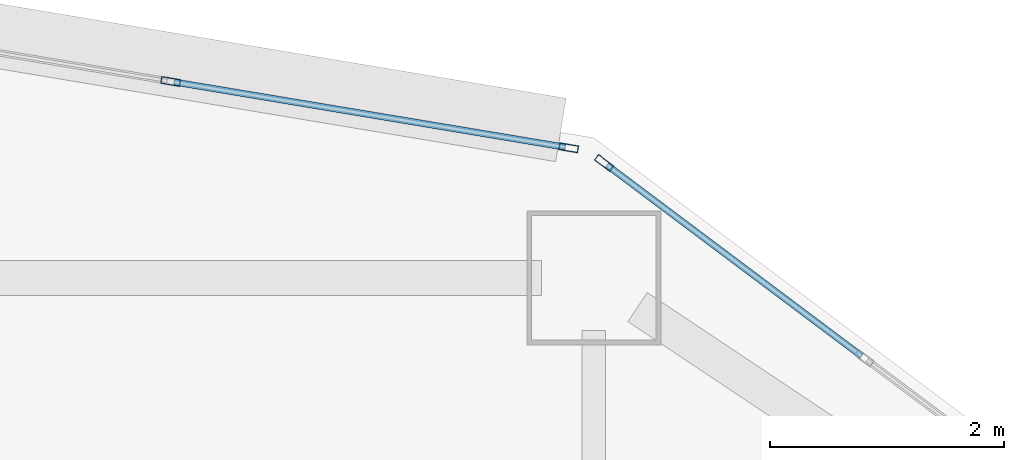
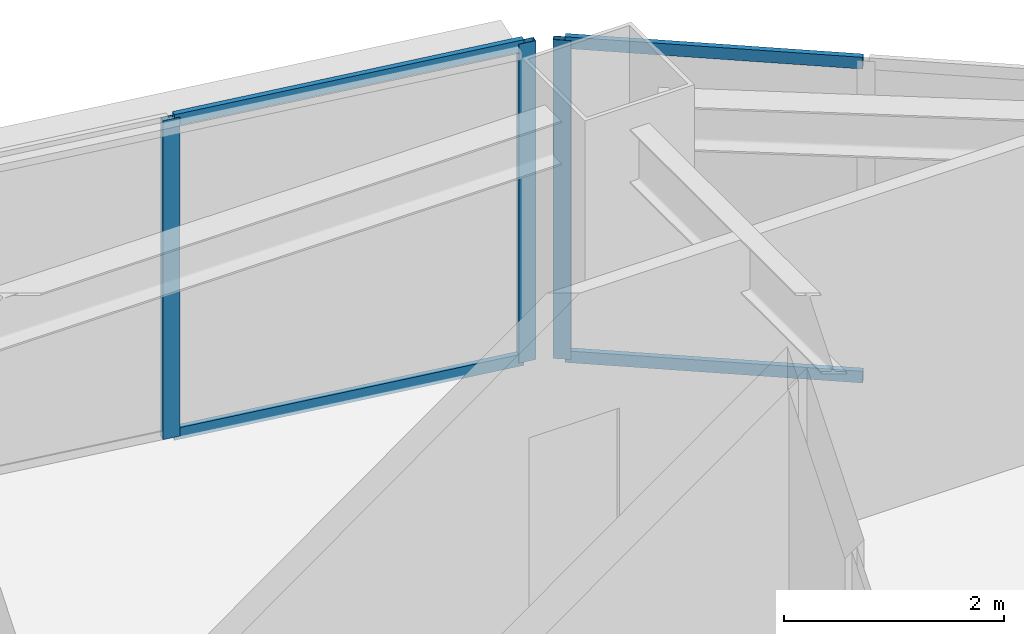
# One storey, part 4 of 16: 7 members, 2 elements without a shape of their own.
"""IFC4 building model written with IfcOpenShell, lengths in metres."""

from ifc_helpers import new_model, si_unit, direction, frame, origin, origin_2d, place, context, subcontext, project, spatial, hollow_rectangle, extrude, material, layer, layer_set, material_profile, profile_set, type_object, element, aggregate, save


model = new_model("IFC4")

# Units and contexts
model_context = context("Model", 3, precision=1e-05, world=origin(), true_north=direction((0.0, 1.0)))
body_context = subcontext(model_context, "Body", "Model", "MODEL_VIEW")
ifc_project = project(units=[si_unit("LENGTHUNIT", "METRE"), si_unit("AREAUNIT", "SQUARE_METRE"), si_unit("VOLUMEUNIT", "CUBIC_METRE"), si_unit("PLANEANGLEUNIT", "RADIAN"), si_unit("MASSUNIT", "GRAM", prefix="KILO")], contexts=[model_context])

# Site, building, storey
site_placement = place(None, origin())
site = spatial("IfcSite", under=ifc_project, at=site_placement, CompositionType="ELEMENT")
building_placement = place(site_placement, origin())
building = spatial("IfcBuilding", under=site, at=building_placement, Name="Haolan Belvedere Tower", CompositionType="ELEMENT")
storey_placement = place(building_placement, frame((0.0, 0.0, 85.60009765625)))
storey = spatial("IfcBuildingStorey", under=building, at=storey_placement, Name="L21", CompositionType="ELEMENT", Elevation=85.60009765625)

# Curtain wall, member
ifc_material_1 = material(Name="Anodised champagne-silver aluminium 6063-T6 and Low-E glass", Category="aluminium")
ifc_layer = layer(ifc_material_1, 0.1650390625, Name="Anodised champagne-silver aluminium 6063-T6 and Low-E glass")
ifc_layer_set = layer_set([ifc_layer], Name="Anodised champagne-silver aluminium 6063-T6 and Low-E glass")
curtain_wall_type = type_object("IfcCurtainWallType", Name="CW-SYS-02", PredefinedType="NOTDEFINED", material=ifc_layer_set)
curtain_wall_1_placement = place(storey_placement, origin())
curtain_wall_1 = element("IfcCurtainWall", 1, at=curtain_wall_1_placement, inside=storey, type_object=curtain_wall_type, Name="L21 CW-SYS-02 ribbon curtain wall 41.1", PredefinedType="NOTDEFINED")
ifc_material_2 = material(Name="Anodised aluminium 6063-T6", Category="aluminium")
ifc_material_profile_1 = material_profile(ifc_material_2, hollow_rectangle(XDim=0.06005859375, YDim=0.1650390625, WallThickness=0.00390625, at=origin_2d()), Name="Anodised aluminium 6063-T6")
ifc_profile_set_1 = profile_set([ifc_material_profile_1], Name="Anodised aluminium 6063-T6")
member_type_1 = type_object("IfcMemberType", Name="CW-SYS-02-MUL", PredefinedType="MULLION", material=ifc_profile_set_1)
member_1_placement = place(storey_placement, frame((45.6875, 51.384521484375, 0.0), z_axis=(0.0, 0.0, 1.0), x_axis=(-0.599994316874, -0.800004262313, 0.0)))
member_1 = element("IfcMember", 2, at=member_1_placement, type_object=member_type_1, Name="CW-02 mullion 3", PredefinedType="MULLION", context=body_context, shape_type="SweptSolid", body=[
    extrude(hollow_rectangle(XDim=0.06005859375, YDim=0.1650390625, WallThickness=0.00390625, at=origin_2d()), origin(), (0.0, 0.0, 1.0), 3.539794921875),
])

# Curtain wall, members
curtain_wall_2_placement = place(storey_placement, origin())
curtain_wall_2 = element("IfcCurtainWall", 3, at=curtain_wall_2_placement, inside=storey, type_object=curtain_wall_type, Name="L21 CW-SYS-02 ribbon curtain wall 42.1", PredefinedType="NOTDEFINED")
member_2_placement = place(storey_placement, frame((45.3837890625, 51.514404296875, 0.0), z_axis=(0.0, 0.0, 1.0), x_axis=(-0.16440364043, -0.9863931483, 0.0)))
member_2 = element("IfcMember", 4, at=member_2_placement, type_object=member_type_1, Name="CW-02 mullion 1", PredefinedType="MULLION", context=body_context, shape_type="SweptSolid", body=[
    extrude(hollow_rectangle(XDim=0.06005859375, YDim=0.1650390625, WallThickness=0.00390625, at=origin_2d()), origin(), (0.0, 0.0, 1.0), 3.539794921875),
])
member_3_placement = place(storey_placement, frame((41.9755859375, 52.082275390625, 0.0), z_axis=(0.0, 0.0, 1.0), x_axis=(-0.16440364043, -0.9863931483, 0.0)))
member_3 = element("IfcMember", 5, at=member_3_placement, type_object=member_type_1, Name="CW-02 mullion 2", PredefinedType="MULLION", context=body_context, shape_type="SweptSolid", body=[
    extrude(hollow_rectangle(XDim=0.06005859375, YDim=0.1650390625, WallThickness=0.00390625, at=origin_2d()), origin(), (0.0, 0.0, 1.0), 3.539794921875),
])

# Member
ifc_material_profile_2 = material_profile(ifc_material_2, hollow_rectangle(XDim=0.054931640625, YDim=0.1298828125, WallThickness=0.00390625, at=origin_2d()), Name="Anodised aluminium 6063-T6")
ifc_profile_set_2 = profile_set([ifc_material_profile_2], Name="Anodised aluminium 6063-T6")
member_type_2 = type_object("IfcMemberType", Name="CW-SYS-02-TRN", PredefinedType="USERDEFINED", material=ifc_profile_set_2)
member_4_placement = place(storey_placement, frame((47.8916015625, 49.731201171875, 0.02734375), z_axis=(-0.799978499504, 0.600028666258, 0.0), x_axis=(-0.600028666258, -0.799978499504, 0.0)))
member_4 = element("IfcMember", 6, at=member_4_placement, type_object=member_type_2, Name="CW-02 transom 2.1", ObjectType="TRANSOM", PredefinedType="USERDEFINED", context=body_context, shape_type="SweptSolid", body=[
    extrude(hollow_rectangle(XDim=0.054931640625, YDim=0.1298828125, WallThickness=0.00390625, at=origin_2d()), origin(), (0.0, 0.0, 1.0), 2.725341796875),
])

member_5_placement = place(storey_placement, frame((47.8916015625, 49.731201171875, 3.512451171875), z_axis=(-0.799978499504, 0.600028666258, 0.0), x_axis=(-0.600028666258, -0.799978499504, 0.0)))
member_5 = element("IfcMember", 7, at=member_5_placement, type_object=member_type_2, Name="CW-02 transom 2.2", ObjectType="TRANSOM", PredefinedType="USERDEFINED", context=body_context, shape_type="SweptSolid", body=[
    extrude(hollow_rectangle(XDim=0.054931640625, YDim=0.1298828125, WallThickness=0.00390625, at=origin_2d()), origin(), (0.0, 0.0, 1.0), 2.725341796875),
])

aggregate(curtain_wall_1, [member_1, member_4, member_5])

member_6_placement = place(storey_placement, frame((45.35400390625, 51.519287109375, 0.02734375), z_axis=(-0.986393923832, 0.164398987305, 0.0), x_axis=(-0.164398987305, -0.986393923832, 0.0)))
member_6 = element("IfcMember", 8, at=member_6_placement, type_object=member_type_2, Name="CW-02 transom 1.1", ObjectType="TRANSOM", PredefinedType="USERDEFINED", context=body_context, shape_type="SweptSolid", body=[
    extrude(hollow_rectangle(XDim=0.054931640625, YDim=0.1298828125, WallThickness=0.00390625, at=origin_2d()), origin(), (0.0, 0.0, 1.0), 3.394775390625),
])

member_7_placement = place(storey_placement, frame((45.35400390625, 51.519287109375, 3.512451171875), z_axis=(-0.986393923832, 0.164398987305, 0.0), x_axis=(-0.164398987305, -0.986393923832, 0.0)))
member_7 = element("IfcMember", 9, at=member_7_placement, type_object=member_type_2, Name="CW-02 transom 1.2", ObjectType="TRANSOM", PredefinedType="USERDEFINED", context=body_context, shape_type="SweptSolid", body=[
    extrude(hollow_rectangle(XDim=0.054931640625, YDim=0.1298828125, WallThickness=0.00390625, at=origin_2d()), origin(), (0.0, 0.0, 1.0), 3.394775390625),
])

aggregate(curtain_wall_2, [member_2, member_3, member_6, member_7])

save(model, "model.ifc")
